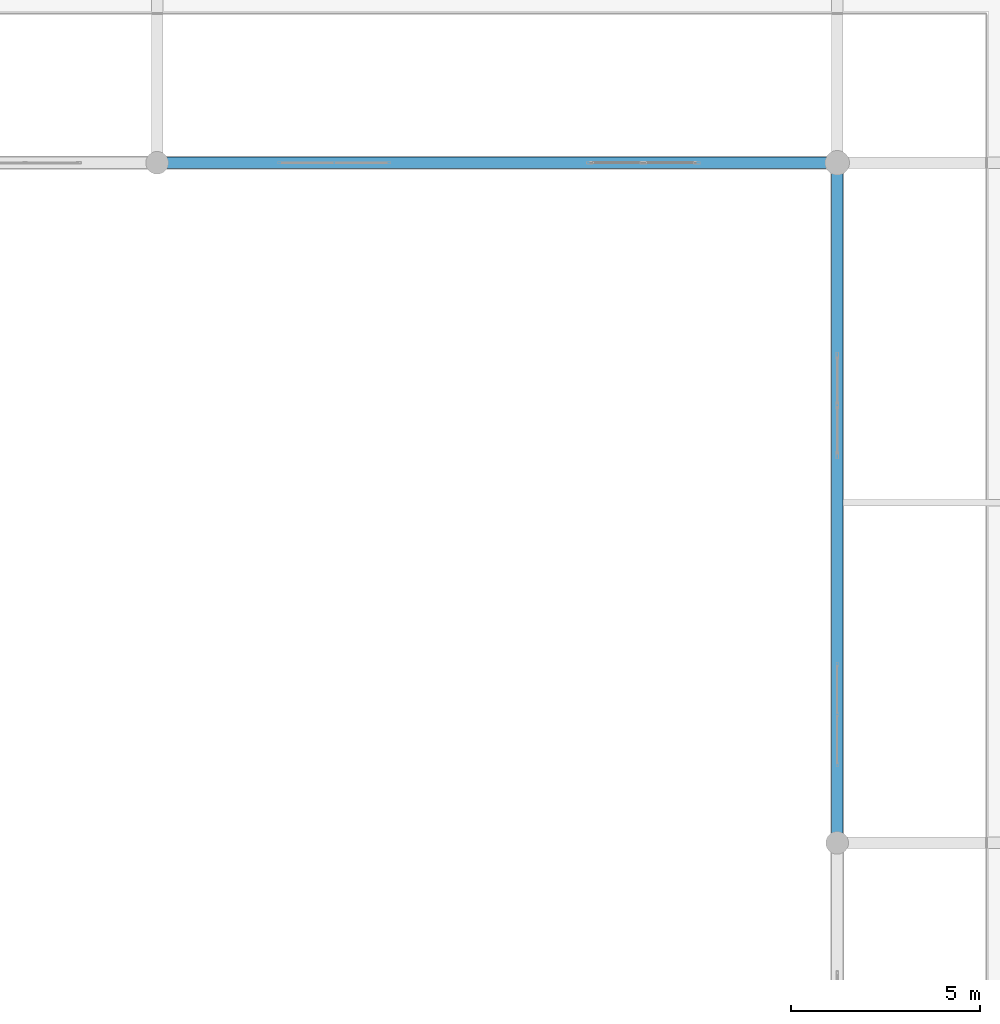
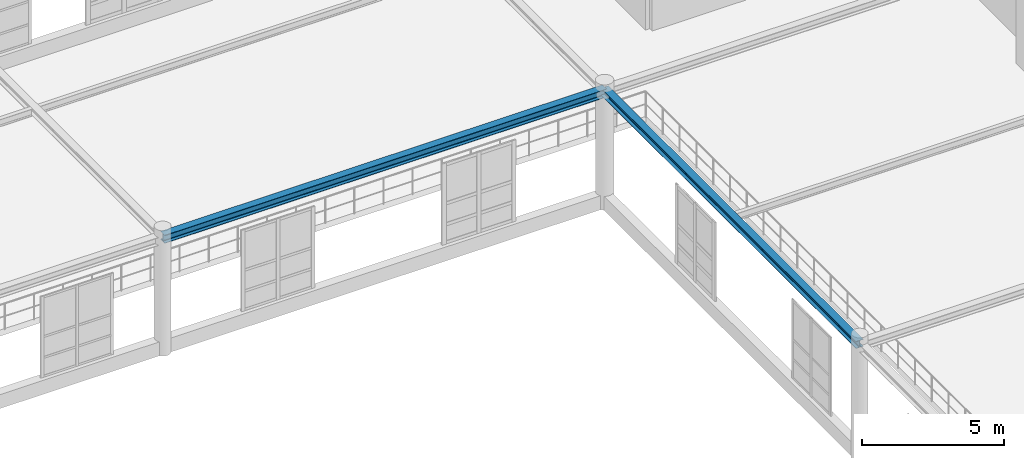
# One storey, part 76 of 197: 2 beams.
"""IFC4 building model written with IfcOpenShell, lengths in metres."""

from ifc_helpers import new_model, si_unit, derived_unit, direction, frame, origin, origin_2d, place, context, subcontext, project, spatial, i_section, extrude, material, material_profile, profile_set, type_object, element, save


model = new_model("IFC4")

# Units and contexts
model_context = context("Model", 3, precision=1e-05, world=origin(), true_north=direction((0.0, 1.0)))
body_context = subcontext(model_context, "Body", "Model", "MODEL_VIEW")
ifc_project = project(units=[si_unit("LENGTHUNIT", "METRE"), si_unit("AREAUNIT", "SQUARE_METRE"), si_unit("VOLUMEUNIT", "CUBIC_METRE"), si_unit("PLANEANGLEUNIT", "RADIAN"), si_unit("MASSUNIT", "GRAM", prefix="KILO"), derived_unit("THERMALTRANSMITTANCEUNIT", [(si_unit("POWERUNIT", "WATT"), 1), (si_unit("LENGTHUNIT", "METRE"), -2), (si_unit("THERMODYNAMICTEMPERATUREUNIT", "KELVIN"), -1)])], contexts=[model_context])

# Site, building, storey
site_placement = place(None, origin())
site = spatial("IfcSite", under=ifc_project, at=site_placement, CompositionType="ELEMENT")
building_placement = place(site_placement, origin())
building = spatial("IfcBuilding", under=site, at=building_placement, Name="Almenara Railside Exhibition Hall", CompositionType="ELEMENT")
storey_placement = place(building_placement, frame((0.0, 0.0, 5.39990234375)))
storey = spatial("IfcBuildingStorey", under=building, at=storey_placement, Name="L01", CompositionType="ELEMENT", Elevation=5.39990234375)

# Beams
ifc_material = material(Name="Structural steel S355JR", Category="steel")
ifc_material_profile_1 = material_profile(ifc_material, i_section(OverallWidth=0.300048828125, OverallDepth=0.31005859375, WebThickness=0.009033203125, FlangeThickness=0.015380859375, FilletRadius=0.027099609375, at=origin_2d()), Name="HEA 320")
ifc_profile_set_1 = profile_set([ifc_material_profile_1], Name="Structural steel S355JR")
beam_type_1 = type_object("IfcBeamType", Name="Steel Concourse Edge Beam HEA 320 S355JR", PredefinedType="BEAM", material=ifc_profile_set_1)
beam_1_placement = place(storey_placement, frame((120.0, 72.0, 4.93115234375), z_axis=(0.0, 1.0, 0.0), x_axis=(-1.0, 0.0, 0.0)))
element("IfcBeam", 1, at=beam_1_placement, inside=storey, type_object=beam_type_1, Name="Beam 0820", PredefinedType="BEAM", context=body_context, shape_type="SweptSolid", body=[
    extrude(i_section(OverallWidth=0.300048828125, OverallDepth=0.31005859375, WebThickness=0.009033203125, FlangeThickness=0.015380859375, FilletRadius=0.027099609375, at=origin_2d()), origin(), (0.0, 0.0, 1.0), 18.0),
])
ifc_material_profile_2 = material_profile(ifc_material, i_section(OverallWidth=0.300048828125, OverallDepth=0.35009765625, WebThickness=0.010009765625, FlangeThickness=0.017578125, FilletRadius=0.027099609375, at=origin_2d()), Name="HEA 360")
ifc_profile_set_2 = profile_set([ifc_material_profile_2], Name="Structural steel S355JR")
beam_type_2 = type_object("IfcBeamType", Name="Steel Concourse Frame Beam HEA 360 S355JR", PredefinedType="BEAM", material=ifc_profile_set_2)
beam_2_placement = place(storey_placement, frame((102.0, 90.0, 4.9111328125), z_axis=(1.0, 0.0, 0.0), x_axis=(0.0, 1.0, 0.0)))
element("IfcBeam", 2, at=beam_2_placement, inside=storey, type_object=beam_type_2, Name="Beam 0803", PredefinedType="BEAM", context=body_context, shape_type="SweptSolid", body=[
    extrude(i_section(OverallWidth=0.300048828125, OverallDepth=0.35009765625, WebThickness=0.010009765625, FlangeThickness=0.017578125, FilletRadius=0.027099609375, at=origin_2d()), origin(), (0.0, 0.0, 1.0), 18.0),
])

save(model, "model.ifc")
